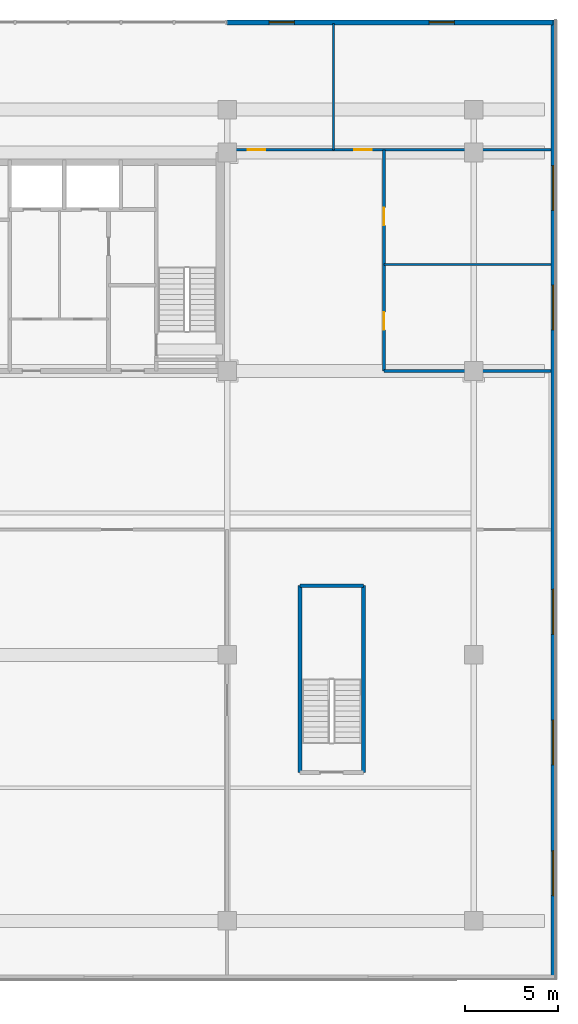
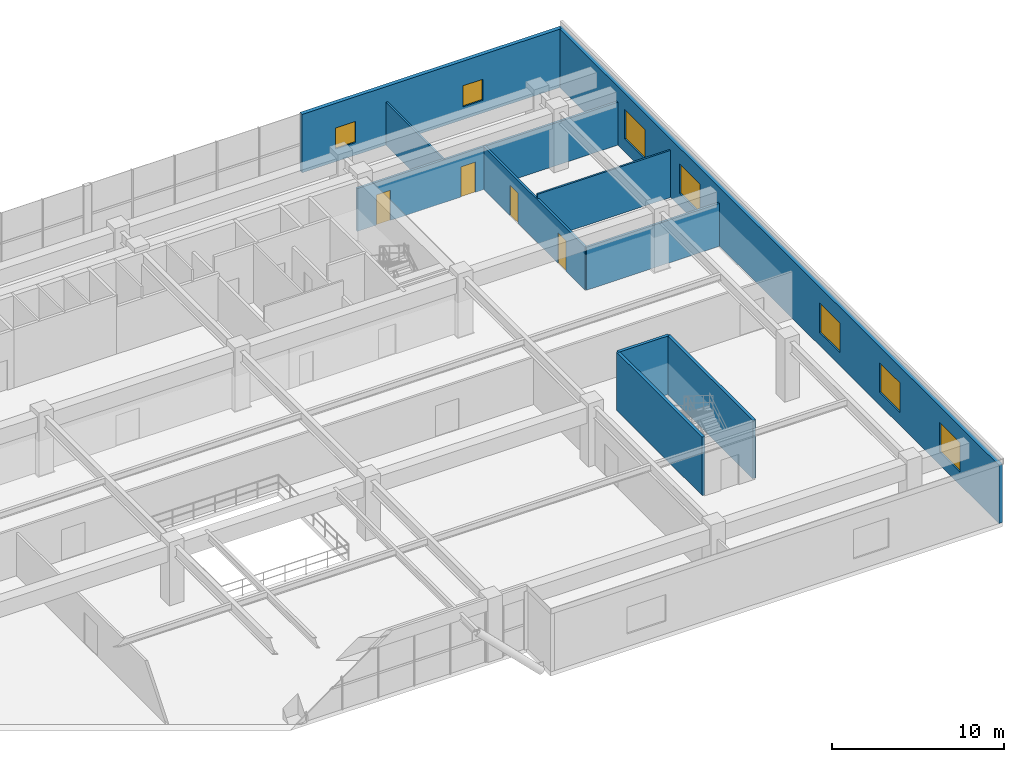
# One storey, part 15 of 21: 10 walls, 7 windows, 4 doors, 11 openings.
"""IFC4 building model written with IfcOpenShell, lengths in metres."""

from ifc_helpers import new_model, si_unit, direction, frame, frame_2d, origin, place, context, subcontext, project, spatial, rectangle, extrude, source, transform, mapped, material, layer, layer_set, type_object, element, fill, save


model = new_model("IFC4")

# Units and contexts
model_context = context("Model", 3, precision=1e-05, world=origin(), true_north=direction((0.0, 1.0)))
body_context = subcontext(model_context, "Body", "Model", "MODEL_VIEW")
ifc_project = project(units=[si_unit("LENGTHUNIT", "METRE"), si_unit("AREAUNIT", "SQUARE_METRE"), si_unit("VOLUMEUNIT", "CUBIC_METRE"), si_unit("PLANEANGLEUNIT", "RADIAN"), si_unit("MASSUNIT", "GRAM", prefix="KILO")], contexts=[model_context])

# Site, building, storey
site_placement = place(None, origin())
site = spatial("IfcSite", under=ifc_project, at=site_placement, CompositionType="ELEMENT")
building_placement = place(site_placement, origin())
building = spatial("IfcBuilding", under=site, at=building_placement, Name="Trelvane Seafront Commons", CompositionType="ELEMENT")
storey_placement = place(building_placement, frame((0.0, 0.0, 14.199951171875)))
storey = spatial("IfcBuildingStorey", under=building, at=storey_placement, Name="L03", CompositionType="ELEMENT", Elevation=14.199951171875)

# Wall, openings, windows
ifc_material_1 = material(Name="Precast concrete C40/50", Category="concrete")
ifc_layer_1 = layer(ifc_material_1, 0.260009765625, Name="ARCH-WALL-EXT260")
ifc_layer_set_1 = layer_set([ifc_layer_1], Name="Precast concrete C40/50")
wall_type_1 = type_object("IfcWallType", Name="ARCH-WALL-EXT260", PredefinedType="SOLIDWALL", material=ifc_layer_set_1)
wall_1_placement = place(storey_placement, frame((58.800048828125, 52.070068359375, 0.0), z_axis=(0.0, 0.0, 1.0), x_axis=(1.0, 0.0, 0.0)))
wall_1 = element("IfcWall", 1, at=wall_1_placement, inside=storey, type_object=wall_type_1, Name="EW-L03-NE-0026", PredefinedType="SOLIDWALL", context=body_context, shape_type="SweptSolid", body=[
    extrude(rectangle(XDim=17.449951171875, YDim=0.260009765625, at=frame_2d((8.72509765625, 0.0))), origin(), (0.0, 0.0, 1.0), 4.150146484375),
])
opening_1_placement = place(wall_1_placement, frame((2.2548828125, 0.0, 0.89990234375)))
opening_1 = element("IfcOpeningElement", 2, at=opening_1_placement, cuts=wall_1, Name="Opening W09", PredefinedType="OPENING", context=body_context, shape_type="SweptSolid", body=[
    extrude(rectangle(XDim=1.35009765625, YDim=1.5, at=frame_2d((0.675048828125, 0.75))), frame((0.0, 0.139892578125, 0.0), z_axis=(0.0, -1.0, 0.0), x_axis=(1.0, 0.0, 0.0)), (0.0, 0.0, 1.0), 0.280029296875),
])
opening_2_placement = place(wall_1_placement, frame((10.820068359375, 0.0, 0.89990234375)))
opening_2 = element("IfcOpeningElement", 3, at=opening_2_placement, cuts=wall_1, Name="Opening W09", PredefinedType="OPENING", context=body_context, shape_type="SweptSolid", body=[
    extrude(rectangle(XDim=1.35009765625, YDim=1.5, at=frame_2d((0.675048828125, 0.75))), frame((0.0, 0.139892578125, 0.0), z_axis=(0.0, -1.0, 0.0), x_axis=(1.0, 0.0, 0.0)), (0.0, 0.0, 1.0), 0.280029296875),
])
ifc_material_2 = material(Name="Low-E coastal double glazing", Category="glass")
window_type_1 = type_object("IfcWindowType", Name="ARCH-WIN-W09", PartitioningType="SINGLE_PANEL", PredefinedType="WINDOW", material=ifc_material_2)
shared_shape_1 = source(origin(), body_context, "Body", "SweptSolid", [
    extrude(rectangle(XDim=1.35009765625, YDim=1.5, at=frame_2d((0.675048828125, 0.75))), frame((0.0, 0.030029296875, 0.0), z_axis=(0.0, -1.0, 0.0), x_axis=(1.0, 0.0, 0.0)), (0.0, 0.0, 1.0), 0.06005859375),
])
window_1_placement = place(opening_1_placement, origin())
window_1 = element("IfcWindow", 4, at=window_1_placement, inside=storey, type_object=window_type_1, Name="WIN-L03-00039", OverallHeight=1.5, OverallWidth=1.35009765625, PartitioningType="SINGLE_PANEL", PredefinedType="WINDOW", context=body_context, shape_type="MappedRepresentation", body=[
    mapped(shared_shape_1, transform((0.0, 0.0, 0.0), x_axis=(1.0, 0.0, 0.0), y_axis=(0.0, 1.0, 0.0), z_axis=(0.0, 0.0, 1.0), scale=1.0)),
])
fill(opening_1, window_1)
window_2_placement = place(opening_2_placement, origin())
window_2 = element("IfcWindow", 5, at=window_2_placement, inside=storey, type_object=window_type_1, Name="WIN-L03-00040", OverallHeight=1.5, OverallWidth=1.35009765625, PartitioningType="SINGLE_PANEL", PredefinedType="WINDOW", context=body_context, shape_type="MappedRepresentation", body=[
    mapped(shared_shape_1, transform((0.0, 0.0, 0.0), x_axis=(1.0, 0.0, 0.0), y_axis=(0.0, 1.0, 0.0), z_axis=(0.0, 0.0, 1.0), scale=1.0)),
])
fill(opening_2, window_2)

wall_2_placement = place(storey_placement, frame((76.27001953125, 52.199951171875, 0.0), z_axis=(0.0, 0.0, 1.0), x_axis=(0.0, -1.0, 0.0)))
wall_2 = element("IfcWall", 6, at=wall_2_placement, inside=storey, type_object=wall_type_1, Name="EW-L03-00029", PredefinedType="SOLIDWALL", context=body_context, shape_type="SweptSolid", body=[
    extrude(rectangle(XDim=51.39990234375, YDim=0.260009765625, at=frame_2d((25.699951171875, 0.0))), origin(), (0.0, 0.0, 1.0), 4.150146484375),
])
opening_3_placement = place(wall_2_placement, frame((44.5, 0.0, 0.919921875)))
opening_3 = element("IfcOpeningElement", 7, at=opening_3_placement, cuts=wall_2, Name="Opening W08", PredefinedType="OPENING", context=body_context, shape_type="SweptSolid", body=[
    extrude(rectangle(XDim=2.39990234375, YDim=2.10009765625, at=frame_2d((1.199951171875, 1.050048828125))), frame((0.0, 0.139892578125, 0.0), z_axis=(0.0, -1.0, 0.0), x_axis=(1.0, 0.0, 0.0)), (0.0, 0.0, 1.0), 0.280029296875),
])
opening_4_placement = place(wall_2_placement, frame((37.5, 0.0, 0.919921875)))
opening_4 = element("IfcOpeningElement", 8, at=opening_4_placement, cuts=wall_2, Name="Opening W08", PredefinedType="OPENING", context=body_context, shape_type="SweptSolid", body=[
    extrude(rectangle(XDim=2.39990234375, YDim=2.10009765625, at=frame_2d((1.199951171875, 1.050048828125))), frame((0.0, 0.139892578125, 0.0), z_axis=(0.0, -1.0, 0.0), x_axis=(1.0, 0.0, 0.0)), (0.0, 0.0, 1.0), 0.280029296875),
])
opening_5_placement = place(wall_2_placement, frame((30.5, 0.0, 0.919921875)))
opening_5 = element("IfcOpeningElement", 9, at=opening_5_placement, cuts=wall_2, Name="Opening W08", PredefinedType="OPENING", context=body_context, shape_type="SweptSolid", body=[
    extrude(rectangle(XDim=2.39990234375, YDim=2.10009765625, at=frame_2d((1.199951171875, 1.050048828125))), frame((0.0, 0.139892578125, 0.0), z_axis=(0.0, -1.0, 0.0), x_axis=(1.0, 0.0, 0.0)), (0.0, 0.0, 1.0), 0.280029296875),
])
opening_6_placement = place(wall_2_placement, frame((14.199951171875, 0.0, 0.919921875)))
opening_6 = element("IfcOpeningElement", 10, at=opening_6_placement, cuts=wall_2, Name="Opening W08", PredefinedType="OPENING", context=body_context, shape_type="SweptSolid", body=[
    extrude(rectangle(XDim=2.39990234375, YDim=2.10009765625, at=frame_2d((1.199951171875, 1.050048828125))), frame((0.0, 0.139892578125, 0.0), z_axis=(0.0, -1.0, 0.0), x_axis=(1.0, 0.0, 0.0)), (0.0, 0.0, 1.0), 0.280029296875),
])
opening_7_placement = place(wall_2_placement, frame((7.800048828125, 0.0, 0.919921875)))
opening_7 = element("IfcOpeningElement", 11, at=opening_7_placement, cuts=wall_2, Name="Opening W08", PredefinedType="OPENING", context=body_context, shape_type="SweptSolid", body=[
    extrude(rectangle(XDim=2.39990234375, YDim=2.10009765625, at=frame_2d((1.199951171875, 1.050048828125))), frame((0.0, 0.139892578125, 0.0), z_axis=(0.0, -1.0, 0.0), x_axis=(1.0, 0.0, 0.0)), (0.0, 0.0, 1.0), 0.280029296875),
])
window_type_2 = type_object("IfcWindowType", Name="ARCH-WIN-W08", PartitioningType="SINGLE_PANEL", PredefinedType="WINDOW", material=ifc_material_2)
shared_shape_2 = source(origin(), body_context, "Body", "SweptSolid", [
    extrude(rectangle(XDim=2.39990234375, YDim=2.10009765625, at=frame_2d((1.199951171875, 1.050048828125))), frame((0.0, 0.030029296875, 0.0), z_axis=(0.0, -1.0, 0.0), x_axis=(1.0, 0.0, 0.0)), (0.0, 0.0, 1.0), 0.06005859375),
])
window_3_placement = place(opening_3_placement, origin())
window_3 = element("IfcWindow", 12, at=window_3_placement, inside=storey, type_object=window_type_2, Name="WIN-L03-EW-00041", OverallHeight=2.10009765625, OverallWidth=2.39990234375, PartitioningType="SINGLE_PANEL", PredefinedType="WINDOW", context=body_context, shape_type="MappedRepresentation", body=[
    mapped(shared_shape_2, transform((0.0, 0.0, 0.0), x_axis=(1.0, 0.0, 0.0), y_axis=(0.0, 1.0, 0.0), z_axis=(0.0, 0.0, 1.0), scale=1.0)),
])
fill(opening_3, window_3)
window_4_placement = place(opening_4_placement, origin())
window_4 = element("IfcWindow", 13, at=window_4_placement, inside=storey, type_object=window_type_2, Name="WIN-L03-EW-00042", OverallHeight=2.10009765625, OverallWidth=2.39990234375, PartitioningType="SINGLE_PANEL", PredefinedType="WINDOW", context=body_context, shape_type="MappedRepresentation", body=[
    mapped(shared_shape_2, transform((0.0, 0.0, 0.0), x_axis=(1.0, 0.0, 0.0), y_axis=(0.0, 1.0, 0.0), z_axis=(0.0, 0.0, 1.0), scale=1.0)),
])
fill(opening_4, window_4)
window_5_placement = place(opening_5_placement, origin())
window_5 = element("IfcWindow", 14, at=window_5_placement, inside=storey, type_object=window_type_2, Name="WIN-L03-EW-00043", OverallHeight=2.10009765625, OverallWidth=2.39990234375, PartitioningType="SINGLE_PANEL", PredefinedType="WINDOW", context=body_context, shape_type="MappedRepresentation", body=[
    mapped(shared_shape_2, transform((0.0, 0.0, 0.0), x_axis=(1.0, 0.0, 0.0), y_axis=(0.0, 1.0, 0.0), z_axis=(0.0, 0.0, 1.0), scale=1.0)),
])
fill(opening_5, window_5)
window_6_placement = place(opening_6_placement, origin())
window_6 = element("IfcWindow", 15, at=window_6_placement, inside=storey, type_object=window_type_2, Name="WIN-L03-EW-00044", OverallHeight=2.10009765625, OverallWidth=2.39990234375, PartitioningType="SINGLE_PANEL", PredefinedType="WINDOW", context=body_context, shape_type="MappedRepresentation", body=[
    mapped(shared_shape_2, transform((0.0, 0.0, 0.0), x_axis=(1.0, 0.0, 0.0), y_axis=(0.0, 1.0, 0.0), z_axis=(0.0, 0.0, 1.0), scale=1.0)),
])
fill(opening_6, window_6)
window_7_placement = place(opening_7_placement, origin())
window_7 = element("IfcWindow", 16, at=window_7_placement, inside=storey, type_object=window_type_2, Name="WIN-L03-EW-00045", OverallHeight=2.10009765625, OverallWidth=2.39990234375, PartitioningType="SINGLE_PANEL", PredefinedType="WINDOW", context=body_context, shape_type="MappedRepresentation", body=[
    mapped(shared_shape_2, transform((0.0, 0.0, 0.0), x_axis=(1.0, 0.0, 0.0), y_axis=(0.0, 1.0, 0.0), z_axis=(0.0, 0.0, 1.0), scale=1.0)),
])
fill(opening_7, window_7)

# Walls
ifc_material_3 = material(Name="Gypsum Drywall Acoustic Partition")
ifc_layer_2 = layer(ifc_material_3, 0.1201171875, Name="ARCH-WALL-PART120")
ifc_layer_set_2 = layer_set([ifc_layer_2], Name="Gypsum Drywall Acoustic Partition")
wall_type_2 = type_object("IfcWallType", Name="ARCH-WALL-PART120", PredefinedType="PARTITIONING", material=ifc_layer_set_2)
wall_3_placement = place(storey_placement, frame((67.199951171875, 39.10009765625, 0.0), z_axis=(0.0, 0.0, 1.0), x_axis=(1.0, 0.0, 0.0)))
element("IfcWall", 17, at=wall_3_placement, inside=storey, type_object=wall_type_2, Name="W-L03-POD-NE-MF-049", PredefinedType="PARTITIONING", context=body_context, shape_type="SweptSolid", body=[
    extrude(rectangle(XDim=8.949951171875, YDim=0.1201171875, at=frame_2d((4.47509765625, 0.0))), origin(), (0.0, 0.0, 1.0), 3.35009765625),
])
wall_4_placement = place(storey_placement, frame((64.5, 45.25, 0.0), z_axis=(0.0, 0.0, 1.0), x_axis=(0.0, 1.0, 0.0)))
element("IfcWall", 18, at=wall_4_placement, inside=storey, type_object=wall_type_2, Name="W-L03-POD-NE-LNDV-051", PredefinedType="PARTITIONING", context=body_context, shape_type="SweptSolid", body=[
    extrude(rectangle(XDim=6.75, YDim=0.1201171875, at=frame_2d((3.375, 0.0))), origin(), (0.0, 0.0, 1.0), 3.050048828125),
])

# Wall, openings, doors
ifc_layer_3 = layer(ifc_material_3, 0.14990234375, Name="ARCH-WALL-PART150")
ifc_layer_set_3 = layer_set([ifc_layer_3], Name="Gypsum Drywall Acoustic Partition")
wall_type_3 = type_object("IfcWallType", Name="ARCH-WALL-PART150", PredefinedType="PARTITIONING", material=ifc_layer_set_3)
wall_5_placement = place(storey_placement, frame((67.199951171875, 33.39990234375, 0.0), z_axis=(0.0, 0.0, 1.0), x_axis=(0.0, 1.0, 0.0)))
wall_5 = element("IfcWall", 19, at=wall_5_placement, inside=storey, type_object=wall_type_3, Name="W-L03-POD-NE-W-047", PredefinedType="PARTITIONING", context=body_context, shape_type="SweptSolid", body=[
    extrude(rectangle(XDim=11.85009765625, YDim=0.14990234375, at=frame_2d((5.925048828125, 0.0))), origin(), (0.0, 0.0, 1.0), 3.050048828125),
])
opening_8_placement = place(wall_5_placement, frame((2.199951171875, 0.0, 0.0)))
opening_8 = element("IfcOpeningElement", 20, at=opening_8_placement, cuts=wall_5, Name="Opening D-L03-21", PredefinedType="OPENING", context=body_context, shape_type="SweptSolid", body=[
    extrude(rectangle(XDim=0.949951171875, YDim=2.14990234375, at=frame_2d((0.47509765625, 1.074951171875))), frame((0.0, 0.0849609375, 0.0), z_axis=(0.0, -1.0, 0.0), x_axis=(1.0, 0.0, 0.0)), (0.0, 0.0, 1.0), 0.169921875),
])
opening_9_placement = place(wall_5_placement, frame((7.800048828125, 0.0, 0.0)))
opening_9 = element("IfcOpeningElement", 21, at=opening_9_placement, cuts=wall_5, Name="Opening D-L03-22", PredefinedType="OPENING", context=body_context, shape_type="SweptSolid", body=[
    extrude(rectangle(XDim=0.949951171875, YDim=2.14990234375, at=frame_2d((0.47509765625, 1.074951171875))), frame((0.0, 0.0849609375, 0.0), z_axis=(0.0, -1.0, 0.0), x_axis=(1.0, 0.0, 0.0)), (0.0, 0.0, 1.0), 0.169921875),
])
ifc_material_4 = material(Name="Acoustic timber door leaf", Category="wood")
door_type = type_object("IfcDoorType", Name="ARCH-DR-INT950", OperationType="NOTDEFINED", PredefinedType="DOOR", material=ifc_material_4)
shared_shape_3 = source(origin(), body_context, "Body", "SweptSolid", [
    extrude(rectangle(XDim=0.949951171875, YDim=2.14990234375, at=frame_2d((0.47509765625, 1.074951171875))), frame((0.0, 0.02490234375, 0.0), z_axis=(0.0, -1.0, 0.0), x_axis=(1.0, 0.0, 0.0)), (0.0, 0.0, 1.0), 0.050048828125),
])
door_1_placement = place(opening_8_placement, origin())
door_1 = element("IfcDoor", 22, at=door_1_placement, inside=storey, type_object=door_type, Name="L03 Podium Male WC Door", OperationType="SINGLE_SWING_LEFT", OverallHeight=2.14990234375, OverallWidth=0.949951171875, PredefinedType="DOOR", context=body_context, shape_type="MappedRepresentation", body=[
    mapped(shared_shape_3, transform((0.0, 0.0, 0.0), x_axis=(1.0, 0.0, 0.0), y_axis=(0.0, 1.0, 0.0), z_axis=(0.0, 0.0, 1.0), scale=1.0)),
])
fill(opening_8, door_1)
door_2_placement = place(opening_9_placement, origin())
door_2 = element("IfcDoor", 23, at=door_2_placement, inside=storey, type_object=door_type, Name="L03 Podium Female WC Door", OperationType="SINGLE_SWING_RIGHT", OverallHeight=2.14990234375, OverallWidth=0.949951171875, PredefinedType="DOOR", context=body_context, shape_type="MappedRepresentation", body=[
    mapped(shared_shape_3, transform((0.0, 0.0, 0.0), x_axis=(1.0, 0.0, 0.0), y_axis=(0.0, 1.0, 0.0), z_axis=(0.0, 0.0, 1.0), scale=1.0)),
])
fill(opening_9, door_2)

# Wall
wall_6_placement = place(storey_placement, frame((67.199951171875, 33.39990234375, 0.0), z_axis=(0.0, 0.0, 1.0), x_axis=(1.0, 0.0, 0.0)))
element("IfcWall", 24, at=wall_6_placement, inside=storey, type_object=wall_type_3, Name="W-L03-POD-NE-S-048", PredefinedType="PARTITIONING", context=body_context, shape_type="SweptSolid", body=[
    extrude(rectangle(XDim=8.949951171875, YDim=0.14990234375, at=frame_2d((4.47509765625, 0.0))), origin(), (0.0, 0.0, 1.0), 3.050048828125),
])

# Wall, openings, doors
wall_7_placement = place(storey_placement, frame((58.60009765625, 45.25, 0.0), z_axis=(0.0, 0.0, 1.0), x_axis=(1.0, 0.0, 0.0)))
wall_7 = element("IfcWall", 25, at=wall_7_placement, inside=storey, type_object=wall_type_3, Name="W-L03-POD-NE-LN-S-050", PredefinedType="PARTITIONING", context=body_context, shape_type="SweptSolid", body=[
    extrude(rectangle(XDim=17.5498046875, YDim=0.14990234375, at=frame_2d((8.77490234375, 0.0))), origin(), (0.0, 0.0, 1.0), 3.050048828125),
])
opening_10_placement = place(wall_7_placement, frame((1.300048828125, 0.0, 0.0)))
opening_10 = element("IfcOpeningElement", 26, at=opening_10_placement, cuts=wall_7, Name="Opening D-L03-23", PredefinedType="OPENING", context=body_context, shape_type="SweptSolid", body=[
    extrude(rectangle(XDim=0.949951171875, YDim=2.14990234375, at=frame_2d((0.47509765625, 1.074951171875))), frame((0.0, 0.0849609375, 0.0), z_axis=(0.0, -1.0, 0.0), x_axis=(1.0, 0.0, 0.0)), (0.0, 0.0, 1.0), 0.169921875),
])
opening_11_placement = place(wall_7_placement, frame((7.0, 0.0, 0.0)))
opening_11 = element("IfcOpeningElement", 27, at=opening_11_placement, cuts=wall_7, Name="Opening D-L03-24", PredefinedType="OPENING", context=body_context, shape_type="SweptSolid", body=[
    extrude(rectangle(XDim=0.949951171875, YDim=2.14990234375, at=frame_2d((0.47509765625, 1.074951171875))), frame((0.0, 0.0849609375, 0.0), z_axis=(0.0, -1.0, 0.0), x_axis=(1.0, 0.0, 0.0)), (0.0, 0.0, 1.0), 0.169921875),
])
door_3_placement = place(opening_10_placement, origin())
door_3 = element("IfcDoor", 28, at=door_3_placement, inside=storey, type_object=door_type, Name="L03 Podium Laundry Door", OperationType="SINGLE_SWING_LEFT", OverallHeight=2.14990234375, OverallWidth=0.949951171875, PredefinedType="DOOR", context=body_context, shape_type="MappedRepresentation", body=[
    mapped(shared_shape_3, transform((0.0, 0.0, 0.0), x_axis=(1.0, 0.0, 0.0), y_axis=(0.0, 1.0, 0.0), z_axis=(0.0, 0.0, 1.0), scale=1.0)),
])
fill(opening_10, door_3)
door_4_placement = place(opening_11_placement, origin())
door_4 = element("IfcDoor", 29, at=door_4_placement, inside=storey, type_object=door_type, Name="L03 Podium Pantry Door", OperationType="SINGLE_SWING_RIGHT", OverallHeight=2.14990234375, OverallWidth=0.949951171875, PredefinedType="DOOR", context=body_context, shape_type="MappedRepresentation", body=[
    mapped(shared_shape_3, transform((0.0, 0.0, 0.0), x_axis=(1.0, 0.0, 0.0), y_axis=(0.0, 1.0, 0.0), z_axis=(0.0, 0.0, 1.0), scale=1.0)),
])
fill(opening_11, door_4)

# Walls
ifc_material_5 = material(Name="Concrete C50/60", Category="concrete")
ifc_layer_4 = layer(ifc_material_5, 0.199951171875, Name="STR-WALL-STAIR200")
ifc_layer_set_4 = layer_set([ifc_layer_4], Name="Concrete C50/60")
wall_type_4 = type_object("IfcWallType", Name="STR-WALL-STAIR200", PredefinedType="SHEAR", material=ifc_layer_set_4)
for number, where, z_axis, x_axis, name in (
    (30, (62.699951171875, 11.89990234375, 0.0), (0.0, 0.0, 1.0), (0.0, 1.0, 0.0), "W-L03-ST4-W-012"),
    (31, (66.10009765625, 11.89990234375, 0.0), (0.0, 0.0, 1.0), (0.0, 1.0, 0.0), "W-L03-ST4-E-013"),
):
    element("IfcWall", number, at=place(storey_placement, frame(where, z_axis=z_axis, x_axis=x_axis)), inside=storey, type_object=wall_type_4, Name=name, PredefinedType="SHEAR", context=body_context, shape_type="SweptSolid", body=[
        extrude(rectangle(XDim=10.0, YDim=0.199951171875, at=frame_2d((5.0, 0.0))), origin(), (0.0, 0.0, 1.0), 4.150146484375),
    ])
wall_8_placement = place(storey_placement, frame((62.699951171875, 21.89990234375, 0.0), z_axis=(0.0, 0.0, 1.0), x_axis=(1.0, 0.0, 0.0)))
element("IfcWall", 32, at=wall_8_placement, inside=storey, type_object=wall_type_4, Name="W-L03-ST4-N-015", PredefinedType="SHEAR", context=body_context, shape_type="SweptSolid", body=[
    extrude(rectangle(XDim=3.400146484375, YDim=0.199951171875, at=frame_2d((1.7001953125, 0.0))), origin(), (0.0, 0.0, 1.0), 4.150146484375),
])

save(model, "model.ifc")
